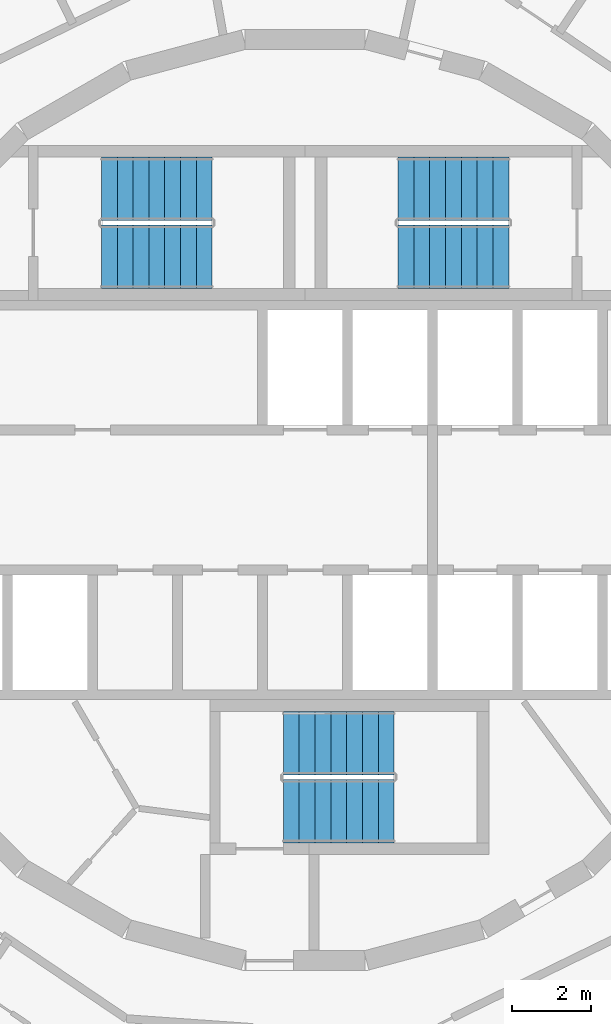
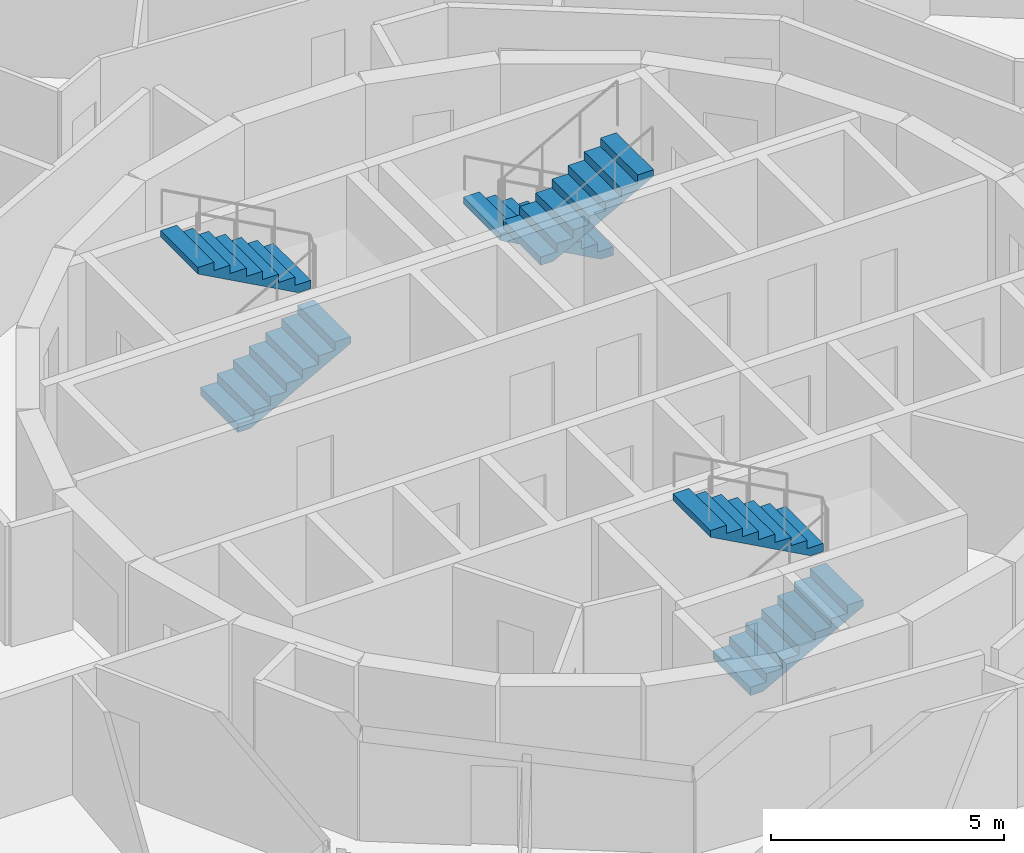
# One storey, part 17 of 18: 6 stair flights, 3 elements without a shape of their own.
"""IFC4 building model written with IfcOpenShell, lengths in metres."""

import ifcopenshell
import ifcopenshell.guid

model = None  # the IFC model being written
_history = None  # IfcOwnerHistory: only IFC2X3 demands one
_inside = {}  # id of a spatial element -> (the spatial element, [elements in it])
_under = {}  # id of a project, library or spatial element -> (it, [spatial elements below it])
_declared = {}  # id of a project -> (the project, [libraries it declares])
_typed = {}  # id of a type object -> (the type object, [elements of that type])
_made_of = {}  # id of a material, layer set ... -> (it, [elements and type objects made of it])


def new_model(schema):
    """Start an empty IFC model of exactly this schema.

    Asked for "IFC4X3", IfcOpenShell would pick the latest addendum, in which some entities
    have other attributes; the version numbers below select the first issue.
    IFC2X3 requires an IfcOwnerHistory on every rooted entity: one is made here for all.
    """
    global model, _history
    if schema == "IFC4X3":
        model = ifcopenshell.file(schema_version=(4, 3, 0, 0))
    else:
        model = ifcopenshell.file(schema=schema)
    _inside.clear()
    _under.clear()
    _declared.clear()
    _typed.clear()
    _made_of.clear()
    _history = None
    if model.schema == "IFC2X3":
        org = make("IfcOrganization", Name="unknown")
        user = make(
            "IfcPersonAndOrganization",
            ThePerson=make("IfcPerson", FamilyName="unknown"),
            TheOrganization=org,
        )
        app = make(
            "IfcApplication",
            ApplicationDeveloper=org,
            Version="unknown",
            ApplicationFullName="unknown",
            ApplicationIdentifier="unknown",
        )
        _history = make(
            "IfcOwnerHistory",
            OwningUser=user,
            OwningApplication=app,
            ChangeAction="ADDED",
            CreationDate=0,
        )
    return model


def make(cls, **values):
    """One entity of the class cls with the attributes given. An attribute that is None is left unset."""
    return model.create_entity(
        cls, **{name: value for name, value in values.items() if value is not None}
    )


def rooted(cls, **values):
    """An entity with a GlobalId (a new one), such as an element, a storey or a relation."""
    return make(cls, GlobalId=ifcopenshell.guid.new(), OwnerHistory=_history, **values)


def si_unit(unit_type, name, prefix=None):
    """IfcSIUnit, for example si_unit("LENGTHUNIT", "METRE", prefix="MILLI")."""
    return make("IfcSIUnit", UnitType=unit_type, Prefix=prefix, Name=name)


def assignment(units):
    """IfcUnitAssignment: the units of a project."""
    return None if units is None else make("IfcUnitAssignment", Units=units)


def point(xyz):
    """IfcCartesianPoint."""
    return None if xyz is None else make("IfcCartesianPoint", Coordinates=xyz)


def direction(xyz):
    """IfcDirection."""
    return None if xyz is None else make("IfcDirection", DirectionRatios=xyz)


def frame(location, z_axis=None, x_axis=None):
    """IfcAxis2Placement3D, a coordinate frame: its origin and axes. An axis left out is left unset."""
    return make(
        "IfcAxis2Placement3D",
        Location=point(location),
        Axis=direction(z_axis),
        RefDirection=direction(x_axis),
    )


def origin():
    """The frame at (0, 0, 0) with its axes left unset."""
    return frame((0.0, 0.0, 0.0))


def place(relative_to, where):
    """IfcLocalPlacement: puts the frame where relative to a parent placement (None: the world)."""
    return make(
        "IfcLocalPlacement", PlacementRelTo=relative_to, RelativePlacement=where
    )


def context(
    kind, dimensions, precision=None, world=None, true_north=None, identifier=None
):
    """IfcGeometricRepresentationContext, for example the 3D "Model" context."""
    return make(
        "IfcGeometricRepresentationContext",
        ContextIdentifier=identifier,
        ContextType=kind,
        CoordinateSpaceDimension=dimensions,
        Precision=precision,
        WorldCoordinateSystem=world,
        TrueNorth=true_north,
    )


def subcontext(parent, identifier, kind, view, scale=None):
    """IfcGeometricRepresentationSubContext, for example "Body" below "Model"."""
    return make(
        "IfcGeometricRepresentationSubContext",
        ContextIdentifier=identifier,
        ContextType=kind,
        ParentContext=parent,
        TargetScale=scale,
        TargetView=view,
    )


def project(units=None, contexts=None):
    """IfcProject with its units and contexts."""
    return rooted(
        "IfcProject",
        Name="project",
        RepresentationContexts=contexts,
        UnitsInContext=assignment(units),
    )


def spatial(cls, under=None, at=None, **own):
    """A site, building, storey or space (cls), placed at a placement, below another one or the project."""
    s = rooted(cls, ObjectPlacement=at, **own)
    if under is not None:
        _under.setdefault(under.id(), (under, []))[1].append(s)
    return s


def polyline(points):
    """IfcPolyline through the points."""
    return make("IfcPolyline", Points=[point(p) for p in points])


def outline(outer, holes=None, kind="AREA"):
    """IfcArbitraryClosedProfileDef: a profile drawn as a closed curve; with holes, ...WithVoids."""
    if holes is None:
        return make("IfcArbitraryClosedProfileDef", ProfileType=kind, OuterCurve=outer)
    return make(
        "IfcArbitraryProfileDefWithVoids",
        ProfileType=kind,
        OuterCurve=outer,
        InnerCurves=holes,
    )


def extrude(swept, where, along, depth):
    """IfcExtrudedAreaSolid: the profile swept, set in the frame where, extruded along a direction by depth."""
    return make(
        "IfcExtrudedAreaSolid",
        SweptArea=swept,
        Position=where,
        ExtrudedDirection=direction(along),
        Depth=depth,
    )


def shape(context_of_items, identifier, shape_type, items):
    """IfcShapeRepresentation: the items that make up one representation, for example the "Body"."""
    return make(
        "IfcShapeRepresentation",
        ContextOfItems=context_of_items,
        RepresentationIdentifier=identifier,
        RepresentationType=shape_type,
        Items=items,
    )


def material(Name=None, Category=None):
    """IfcMaterial."""
    return make("IfcMaterial", Name=Name, Category=Category)


def made_of(thing, what):
    """Note that an element or type object is made of a material, layer set ...; save() writes the relation."""
    if what is not None:
        _made_of.setdefault(what.id(), (what, []))[1].append(thing)
    return thing


def type_object(cls, material=None, **own):
    """A type object (cls), such as IfcWallType, which elements share."""
    return made_of(rooted(cls, **own), material)


def element(
    cls,
    number,
    at=None,
    inside=None,
    cuts=None,
    type_object=None,
    material=None,
    context=None,
    identifier="Body",
    shape_type=None,
    held_by="IfcProductDefinitionShape",
    body=None,
    shapes=None,
    **own,
):
    """One element of the class cls, such as IfcWall. Its Tag is "e" and its number.

    at: its placement. inside: the storey or other place that contains it. cuts: it is an
    opening in that element (IfcRelVoidsElement). A single representation is given by context,
    identifier, shape_type and body (its items); several are given by shapes. held_by: the class
    of the entity that holds the representations. save() writes the other relations.
    """
    e = rooted(cls, Tag="e%d" % number, ObjectPlacement=at, **own)
    if body is not None:
        shapes = [shape(context, identifier, shape_type, body)]
    if shapes is not None:
        e.Representation = make(held_by, Representations=shapes)
    if inside is not None:
        _inside.setdefault(inside.id(), (inside, []))[1].append(e)
    if cuts is not None:
        rooted(
            "IfcRelVoidsElement", RelatingBuildingElement=cuts, RelatedOpeningElement=e
        )
    if type_object is not None:
        _typed.setdefault(type_object.id(), (type_object, []))[1].append(e)
    return made_of(e, material)


def aggregate(whole, parts):
    """IfcRelAggregates: a whole, such as a stair, and the parts it consists of."""
    return rooted("IfcRelAggregates", RelatingObject=whole, RelatedObjects=parts)


def save(model, path):
    """Write the relations noted so far, then the file.

    IfcRelAggregates (storeys below a building ...), IfcRelContainedInSpatialStructure (elements
    in a storey), IfcRelDefinesByType, IfcRelAssociatesMaterial and IfcRelDeclares: one each for
    every whole, place, type object, material and project.
    """
    for whole, parts in _under.values():
        aggregate(whole, parts)
    for where, things in _inside.values():
        rooted(
            "IfcRelContainedInSpatialStructure",
            RelatedElements=things,
            RelatingStructure=where,
        )
    for kind, things in _typed.values():
        rooted("IfcRelDefinesByType", RelatedObjects=things, RelatingType=kind)
    for what, things in _made_of.values():
        rooted("IfcRelAssociatesMaterial", RelatedObjects=things, RelatingMaterial=what)
    for by, libraries in _declared.values():
        rooted("IfcRelDeclares", RelatingContext=by, RelatedDefinitions=libraries)
    model.write(path)


model = new_model("IFC4")

# Units and contexts
model_context = context("Model", 3, precision=1e-05, world=origin(), true_north=direction((0.0, 1.0)))
body_context = subcontext(model_context, "Body", "Model", "MODEL_VIEW")
ifc_project = project(units=[si_unit("LENGTHUNIT", "METRE"), si_unit("AREAUNIT", "SQUARE_METRE"), si_unit("VOLUMEUNIT", "CUBIC_METRE"), si_unit("PLANEANGLEUNIT", "RADIAN"), si_unit("MASSUNIT", "GRAM", prefix="KILO")], contexts=[model_context])

# Site, building, storey
site_placement = place(None, origin())
site = spatial("IfcSite", under=ifc_project, at=site_placement, CompositionType="ELEMENT")
building_placement = place(site_placement, origin())
building = spatial("IfcBuilding", under=site, at=building_placement, Name="Spindle Arch Residences", CompositionType="ELEMENT")
storey_placement = place(building_placement, frame((0.0, 0.0, 198.89990234375)))
storey = spatial("IfcBuildingStorey", under=building, at=storey_placement, Name="L50", CompositionType="ELEMENT", Elevation=198.89990234375)

# Stair, stair flights
ifc_material_1 = material(Name="Concrete C50/60", Category="concrete")
stair_type = type_object("IfcStairType", Name="Exit stair 16 risers", PredefinedType="HALF_TURN_STAIR", material=ifc_material_1)
stair_1_placement = place(storey_placement, origin())
stair_1 = element("IfcStair", 1, at=stair_1_placement, inside=storey, type_object=stair_type, Name="L50 Exit stair ST1", PredefinedType="HALF_TURN_STAIR")
ifc_material_2 = material(Name="Concrete C50/60", Category="concrete")
stair_flight_type = type_object("IfcStairFlightType", Name="Exit stair flight", PredefinedType="STRAIGHT", material=ifc_material_2)
stair_flight_1_placement = place(storey_placement, frame((5.14990234375, 7.8701171875, 0.0), z_axis=(0.0, 0.0, 1.0), x_axis=(-1.0, 0.0, 0.0)))
stair_flight_1 = element("IfcStairFlight", 2, at=stair_flight_1_placement, type_object=stair_flight_type, Name="ST1 flight 1", NumberOfRisers=8, NumberOfTreads=7, PredefinedType="STRAIGHT", RiserHeight=0.21875, TreadLength=0.4, context=body_context, shape_type="SweptSolid", body=[
    extrude(outline(polyline([(0.0, 0.0), (0.0, 0.21875), (0.39990234375, 0.21875), (0.39990234375, 0.4375), (0.800048828125, 0.4375), (0.800048828125, 0.65625), (1.199951171875, 0.65625), (1.199951171875, 0.875), (1.60009765625, 0.875), (1.60009765625, 1.09375), (2.0, 1.09375), (2.0, 1.3125), (2.39990234375, 1.3125), (2.39990234375, 1.53125), (2.800048828125, 1.53125), (2.800048828125, 1.75), (2.800048828125, 1.3603515625), (0.3125, 0.0), (0.0, 0.0)])), frame((0.0, 0.800048828125, 0.0), z_axis=(0.0, -1.0, 0.0), x_axis=(1.0, 0.0, 0.0)), (0.0, 0.0, 1.0), 1.60009765625),
])
stair_flight_2_placement = place(storey_placement, frame((2.35009765625, 6.14990234375, 1.75), z_axis=(0.0, 0.0, 1.0), x_axis=(1.0, 0.0, 0.0)))
stair_flight_2 = element("IfcStairFlight", 3, at=stair_flight_2_placement, type_object=stair_flight_type, Name="ST1 flight 2", NumberOfRisers=8, NumberOfTreads=7, PredefinedType="STRAIGHT", RiserHeight=0.21875, TreadLength=0.4, context=body_context, shape_type="SweptSolid", body=[
    extrude(outline(polyline([(0.0, 0.0), (0.0, 0.21875), (0.39990234375, 0.21875), (0.39990234375, 0.4375), (0.800048828125, 0.4375), (0.800048828125, 0.65625), (1.199951171875, 0.65625), (1.199951171875, 0.875), (1.60009765625, 0.875), (1.60009765625, 1.09375), (2.0, 1.09375), (2.0, 1.3125), (2.39990234375, 1.3125), (2.39990234375, 1.53125), (2.800048828125, 1.53125), (2.800048828125, 1.75), (2.800048828125, 1.3603515625), (0.3125, 0.0), (0.0, 0.0)])), frame((0.0, 0.800048828125, 0.0), z_axis=(0.0, -1.0, 0.0), x_axis=(1.0, 0.0, 0.0)), (0.0, 0.0, 1.0), 1.60009765625),
])
aggregate(stair_1, [stair_flight_1, stair_flight_2])

stair_2_placement = place(storey_placement, origin())
stair_2 = element("IfcStair", 4, at=stair_2_placement, inside=storey, type_object=stair_type, Name="L50 Exit stair ST2", PredefinedType="HALF_TURN_STAIR")
stair_flight_3_placement = place(storey_placement, frame((-5.14990234375, 6.14990234375, 0.0), z_axis=(0.0, 0.0, 1.0), x_axis=(1.0, 0.0, 0.0)))
stair_flight_3 = element("IfcStairFlight", 5, at=stair_flight_3_placement, type_object=stair_flight_type, Name="ST2 flight 1", NumberOfRisers=8, NumberOfTreads=7, PredefinedType="STRAIGHT", RiserHeight=0.21875, TreadLength=0.4, context=body_context, shape_type="SweptSolid", body=[
    extrude(outline(polyline([(0.0, 0.0), (0.0, 0.21875), (0.39990234375, 0.21875), (0.39990234375, 0.4375), (0.800048828125, 0.4375), (0.800048828125, 0.65625), (1.199951171875, 0.65625), (1.199951171875, 0.875), (1.60009765625, 0.875), (1.60009765625, 1.09375), (2.0, 1.09375), (2.0, 1.3125), (2.39990234375, 1.3125), (2.39990234375, 1.53125), (2.800048828125, 1.53125), (2.800048828125, 1.75), (2.800048828125, 1.3603515625), (0.3125, 0.0), (0.0, 0.0)])), frame((0.0, 0.800048828125, 0.0), z_axis=(0.0, -1.0, 0.0), x_axis=(1.0, 0.0, 0.0)), (0.0, 0.0, 1.0), 1.60009765625),
])
stair_flight_4_placement = place(storey_placement, frame((-2.35009765625, 7.8701171875, 1.75), z_axis=(0.0, 0.0, 1.0), x_axis=(-1.0, 0.0, 0.0)))
stair_flight_4 = element("IfcStairFlight", 6, at=stair_flight_4_placement, type_object=stair_flight_type, Name="ST2 flight 2", NumberOfRisers=8, NumberOfTreads=7, PredefinedType="STRAIGHT", RiserHeight=0.21875, TreadLength=0.4, context=body_context, shape_type="SweptSolid", body=[
    extrude(outline(polyline([(0.0, 0.0), (0.0, 0.21875), (0.39990234375, 0.21875), (0.39990234375, 0.4375), (0.800048828125, 0.4375), (0.800048828125, 0.65625), (1.199951171875, 0.65625), (1.199951171875, 0.875), (1.60009765625, 0.875), (1.60009765625, 1.09375), (2.0, 1.09375), (2.0, 1.3125), (2.39990234375, 1.3125), (2.39990234375, 1.53125), (2.800048828125, 1.53125), (2.800048828125, 1.75), (2.800048828125, 1.3603515625), (0.3125, 0.0), (0.0, 0.0)])), frame((0.0, 0.800048828125, 0.0), z_axis=(0.0, -1.0, 0.0), x_axis=(1.0, 0.0, 0.0)), (0.0, 0.0, 1.0), 1.60009765625),
])
aggregate(stair_2, [stair_flight_3, stair_flight_4])

stair_3_placement = place(storey_placement, origin())
stair_3 = element("IfcStair", 7, at=stair_3_placement, inside=storey, type_object=stair_type, Name="L50 Exit stair ST3", PredefinedType="HALF_TURN_STAIR")
stair_flight_5_placement = place(storey_placement, frame((-0.550048828125, -7.8701171875, 0.0), z_axis=(0.0, 0.0, 1.0), x_axis=(1.0, 0.0, 0.0)))
stair_flight_5 = element("IfcStairFlight", 8, at=stair_flight_5_placement, type_object=stair_flight_type, Name="ST3 flight 1", NumberOfRisers=8, NumberOfTreads=7, PredefinedType="STRAIGHT", RiserHeight=0.21875, TreadLength=0.4, context=body_context, shape_type="SweptSolid", body=[
    extrude(outline(polyline([(0.0, 0.0), (0.0, 0.21875), (0.39990234375, 0.21875), (0.39990234375, 0.4375), (0.800048828125, 0.4375), (0.800048828125, 0.65625), (1.199951171875, 0.65625), (1.199951171875, 0.875), (1.60009765625, 0.875), (1.60009765625, 1.09375), (2.0, 1.09375), (2.0, 1.3125), (2.39990234375, 1.3125), (2.39990234375, 1.53125), (2.800048828125, 1.53125), (2.800048828125, 1.75), (2.800048828125, 1.3603515625), (0.3125, 0.0), (0.0, 0.0)])), frame((0.0, 0.800048828125, 0.0), z_axis=(0.0, -1.0, 0.0), x_axis=(1.0, 0.0, 0.0)), (0.0, 0.0, 1.0), 1.60009765625),
])
stair_flight_6_placement = place(storey_placement, frame((2.25, -6.14990234375, 1.75), z_axis=(0.0, 0.0, 1.0), x_axis=(-1.0, 0.0, 0.0)))
stair_flight_6 = element("IfcStairFlight", 9, at=stair_flight_6_placement, type_object=stair_flight_type, Name="ST3 flight 2", NumberOfRisers=8, NumberOfTreads=7, PredefinedType="STRAIGHT", RiserHeight=0.21875, TreadLength=0.4, context=body_context, shape_type="SweptSolid", body=[
    extrude(outline(polyline([(0.0, 0.0), (0.0, 0.21875), (0.39990234375, 0.21875), (0.39990234375, 0.4375), (0.800048828125, 0.4375), (0.800048828125, 0.65625), (1.199951171875, 0.65625), (1.199951171875, 0.875), (1.60009765625, 0.875), (1.60009765625, 1.09375), (2.0, 1.09375), (2.0, 1.3125), (2.39990234375, 1.3125), (2.39990234375, 1.53125), (2.800048828125, 1.53125), (2.800048828125, 1.75), (2.800048828125, 1.3603515625), (0.3125, 0.0), (0.0, 0.0)])), frame((0.0, 0.800048828125, 0.0), z_axis=(0.0, -1.0, 0.0), x_axis=(1.0, 0.0, 0.0)), (0.0, 0.0, 1.0), 1.60009765625),
])
aggregate(stair_3, [stair_flight_5, stair_flight_6])

save(model, "model.ifc")
